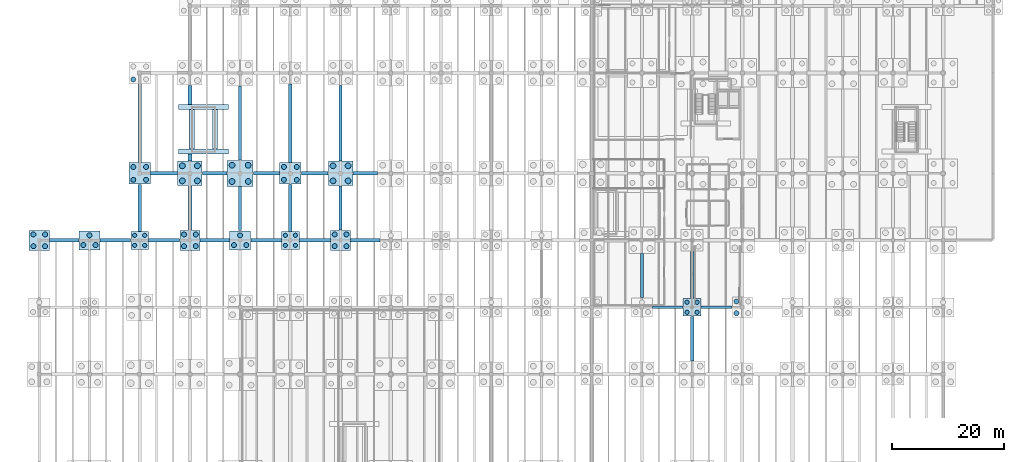
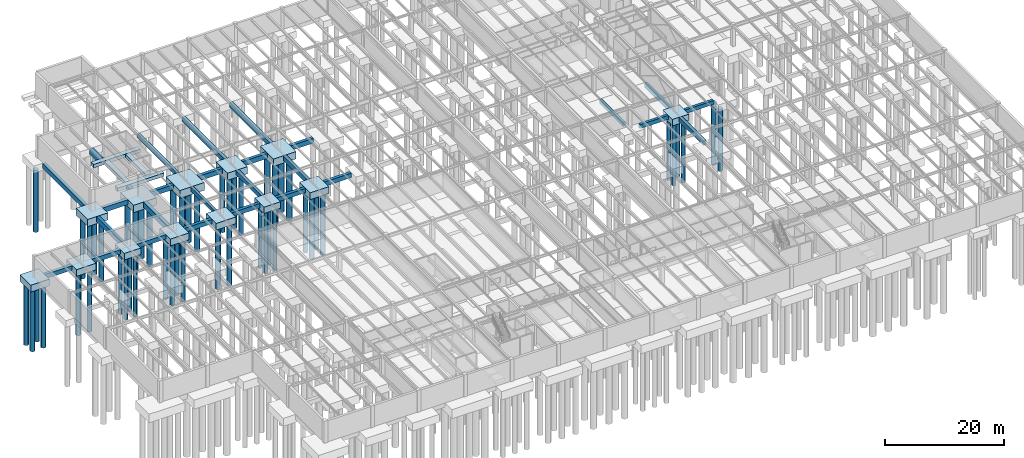
# One storey, part 6 of 40: 53 piles, 45 footings.
"""IFC4 building model written with IfcOpenShell, lengths in metres."""

from ifc_helpers import new_model, si_unit, direction, frame, origin, origin_2d, place, context, subcontext, project, spatial, polyline, rectangle, circle, outline, extrude, material, material_profile, profile_set, type_object, element, save


model = new_model("IFC4")

# Units and contexts
model_context = context("Model", 3, precision=1e-05, world=origin(), true_north=direction((0.0, 1.0)))
body_context = subcontext(model_context, "Body", "Model", "MODEL_VIEW")
ifc_project = project(units=[si_unit("LENGTHUNIT", "METRE"), si_unit("AREAUNIT", "SQUARE_METRE"), si_unit("VOLUMEUNIT", "CUBIC_METRE"), si_unit("PLANEANGLEUNIT", "RADIAN"), si_unit("MASSUNIT", "GRAM", prefix="KILO")], contexts=[model_context])

# Site, building, storey
site_placement = place(None, origin())
site = spatial("IfcSite", under=ifc_project, at=site_placement, CompositionType="ELEMENT")
building_placement = place(site_placement, origin())
building = spatial("IfcBuilding", under=site, at=building_placement, Name="Montelvaro Courts of Justice", CompositionType="ELEMENT")
storey_placement = place(building_placement, frame((0.0, 0.0, -4.5)))
storey = spatial("IfcBuildingStorey", under=building, at=storey_placement, Name="B01", CompositionType="ELEMENT", Elevation=-4.5)

# Piles
ifc_material = material(Name="Concrete C35/45", Category="concrete")
ifc_material_profile_1 = material_profile(ifc_material, circle(Radius=0.52490234375, at=origin_2d()), Name="BORED PILE D1050")
ifc_profile_set_1 = profile_set([ifc_material_profile_1], Name="Concrete C35/45")
pile_type_1 = type_object("IfcPileType", Name="BoredPile_1050", PredefinedType="BORED", material=ifc_profile_set_1)
for number, where, z_axis, x_axis, name in (
    (1, (25.64990234375, 76.64990234375, -1.39990234375), (0.0, 0.0, -1.0), (1.0, 0.0, 0.0), "Bored Pile BP-03 4/G-1"),
    (2, (28.35009765625, 76.64990234375, -1.39990234375), (0.0, 0.0, -1.0), (1.0, 0.0, 0.0), "Bored Pile BP-03 4/G-2"),
    (3, (25.64990234375, 79.35009765625, -1.39990234375), (0.0, 0.0, -1.0), (1.0, 0.0, 0.0), "Bored Pile BP-03 4/G-3"),
    (4, (28.35009765625, 79.35009765625, -1.39990234375), (0.0, 0.0, -1.0), (1.0, 0.0, 0.0), "Bored Pile BP-03 4/G-4"),
):
    element("IfcPile", number, at=place(storey_placement, frame(where, z_axis=z_axis, x_axis=x_axis)), inside=storey, type_object=pile_type_1, Name=name, PredefinedType="BORED", context=body_context, shape_type="SweptSolid", body=[
        extrude(circle(Radius=0.52490234375, at=origin_2d()), origin(), (0.0, 0.0, 1.0), 12.60009765625),
    ])
for number, where, z_axis, x_axis, name in (
    (5, (34.550048828125, 76.550048828125, -1.5), (0.0, 0.0, -1.0), (1.0, 0.0, 0.0), "Bored Pile BP-03 5/G-1"),
    (6, (37.449951171875, 76.550048828125, -1.5), (0.0, 0.0, -1.0), (1.0, 0.0, 0.0), "Bored Pile BP-03 5/G-2"),
    (7, (34.550048828125, 79.449951171875, -1.5), (0.0, 0.0, -1.0), (1.0, 0.0, 0.0), "Bored Pile BP-03 5/G-3"),
    (8, (37.449951171875, 79.449951171875, -1.5), (0.0, 0.0, -1.0), (1.0, 0.0, 0.0), "Bored Pile BP-03 5/G-4"),
):
    element("IfcPile", number, at=place(storey_placement, frame(where, z_axis=z_axis, x_axis=x_axis)), inside=storey, type_object=pile_type_1, Name=name, PredefinedType="BORED", context=body_context, shape_type="SweptSolid", body=[
        extrude(circle(Radius=0.52490234375, at=origin_2d()), origin(), (0.0, 0.0, 1.0), 12.5),
    ])
for number, where, z_axis, x_axis, name in (
    (9, (52.64990234375, 76.64990234375, -1.39990234375), (0.0, 0.0, -1.0), (1.0, 0.0, 0.0), "Bored Pile BP-03 7/G-1"),
    (10, (55.35009765625, 76.64990234375, -1.39990234375), (0.0, 0.0, -1.0), (1.0, 0.0, 0.0), "Bored Pile BP-03 7/G-2"),
    (11, (52.64990234375, 79.35009765625, -1.39990234375), (0.0, 0.0, -1.0), (1.0, 0.0, 0.0), "Bored Pile BP-03 7/G-3"),
    (12, (55.35009765625, 79.35009765625, -1.39990234375), (0.0, 0.0, -1.0), (1.0, 0.0, 0.0), "Bored Pile BP-03 7/G-4"),
):
    element("IfcPile", number, at=place(storey_placement, frame(where, z_axis=z_axis, x_axis=x_axis)), inside=storey, type_object=pile_type_1, Name=name, PredefinedType="BORED", context=body_context, shape_type="SweptSolid", body=[
        extrude(circle(Radius=0.52490234375, at=origin_2d()), origin(), (0.0, 0.0, 1.0), 12.60009765625),
    ])
ifc_material_profile_2 = material_profile(ifc_material, circle(Radius=0.375, at=origin_2d()), Name="BORED PILE D750")
ifc_profile_set_2 = profile_set([ifc_material_profile_2], Name="Concrete C35/45")
pile_type_2 = type_object("IfcPileType", Name="BoredPile_750", PredefinedType="BORED", material=ifc_profile_set_2)
for number, where, z_axis, x_axis, name in (
    (13, (17.10009765625, 65.10009765625, -1.199951171875), (0.0, 0.0, -1.0), (1.0, 0.0, 0.0), "Bored Pile BP-01 3/F-1"),
    (14, (18.89990234375, 65.10009765625, -1.199951171875), (0.0, 0.0, -1.0), (1.0, 0.0, 0.0), "Bored Pile BP-01 3/F-2"),
    (15, (17.10009765625, 66.89990234375, -1.199951171875), (0.0, 0.0, -1.0), (1.0, 0.0, 0.0), "Bored Pile BP-01 3/F-3"),
    (16, (18.89990234375, 66.89990234375, -1.199951171875), (0.0, 0.0, -1.0), (1.0, 0.0, 0.0), "Bored Pile BP-01 3/F-4"),
    (17, (44.10009765625, 65.10009765625, -1.199951171875), (0.0, 0.0, -1.0), (1.0, 0.0, 0.0), "Bored Pile BP-01 6/F-1"),
    (18, (45.89990234375, 65.10009765625, -1.199951171875), (0.0, 0.0, -1.0), (1.0, 0.0, 0.0), "Bored Pile BP-01 6/F-2"),
    (19, (44.10009765625, 66.89990234375, -1.199951171875), (0.0, 0.0, -1.0), (1.0, 0.0, 0.0), "Bored Pile BP-01 6/F-3"),
    (20, (45.89990234375, 66.89990234375, -1.199951171875), (0.0, 0.0, -1.0), (1.0, 0.0, 0.0), "Bored Pile BP-01 6/F-4"),
    (21, (116.10009765625, 53.10009765625, -1.199951171875), (0.0, 0.0, -1.0), (1.0, 0.0, 0.0), "Bored Pile BP-01 14/E-1"),
    (22, (117.89990234375, 53.10009765625, -1.199951171875), (0.0, 0.0, -1.0), (1.0, 0.0, 0.0), "Bored Pile BP-01 14/E-2"),
    (23, (116.10009765625, 54.89990234375, -1.199951171875), (0.0, 0.0, -1.0), (1.0, 0.0, 0.0), "Bored Pile BP-01 14/E-3"),
    (24, (117.89990234375, 54.89990234375, -1.199951171875), (0.0, 0.0, -1.0), (1.0, 0.0, 0.0), "Bored Pile BP-01 14/E-4"),
):
    element("IfcPile", number, at=place(storey_placement, frame(where, z_axis=z_axis, x_axis=x_axis)), inside=storey, type_object=pile_type_2, Name=name, PredefinedType="BORED", context=body_context, shape_type="SweptSolid", body=[
        extrude(circle(Radius=0.375, at=origin_2d()), origin(), (0.0, 0.0, 1.0), 12.800048828125),
    ])
ifc_material_profile_3 = material_profile(ifc_material, circle(Radius=0.449951171875, at=origin_2d()), Name="BORED PILE D900")
ifc_profile_set_3 = profile_set([ifc_material_profile_3], Name="Concrete C35/45")
pile_type_3 = type_object("IfcPileType", Name="BoredPile_900", PredefinedType="BORED", material=ifc_profile_set_3)
for number, where, z_axis, x_axis, name in (
    (25, (-1.050048828125, 64.949951171875, -1.300048828125), (0.0, 0.0, -1.0), (1.0, 0.0, 0.0), "Bored Pile BP-02 1/F-1"),
    (26, (1.050048828125, 64.949951171875, -1.300048828125), (0.0, 0.0, -1.0), (1.0, 0.0, 0.0), "Bored Pile BP-02 1/F-2"),
    (27, (-1.050048828125, 67.050048828125, -1.300048828125), (0.0, 0.0, -1.0), (1.0, 0.0, 0.0), "Bored Pile BP-02 1/F-3"),
    (28, (1.050048828125, 67.050048828125, -1.300048828125), (0.0, 0.0, -1.0), (1.0, 0.0, 0.0), "Bored Pile BP-02 1/F-4"),
):
    element("IfcPile", number, at=place(storey_placement, frame(where, z_axis=z_axis, x_axis=x_axis)), inside=storey, type_object=pile_type_3, Name=name, PredefinedType="BORED", context=body_context, shape_type="SweptSolid", body=[
        extrude(circle(Radius=0.449951171875, at=origin_2d()), origin(), (0.0, 0.0, 1.0), 12.699951171875),
    ])
for number, where, z_axis, x_axis, name in (
    (29, (7.89990234375, 65.14990234375, -1.25), (0.0, 0.0, -1.0), (1.0, 0.0, 0.0), "Bored Pile BP-02 2/F-1"),
    (30, (10.10009765625, 65.14990234375, -1.25), (0.0, 0.0, -1.0), (1.0, 0.0, 0.0), "Bored Pile BP-02 2/F-2"),
    (31, (9.0, 66.89990234375, -1.25), (0.0, 0.0, -1.0), (1.0, 0.0, 0.0), "Bored Pile BP-02 2/F-3"),
):
    element("IfcPile", number, at=place(storey_placement, frame(where, z_axis=z_axis, x_axis=x_axis)), inside=storey, type_object=pile_type_3, Name=name, PredefinedType="BORED", context=body_context, shape_type="SweptSolid", body=[
        extrude(circle(Radius=0.449951171875, at=origin_2d()), origin(), (0.0, 0.0, 1.0), 12.75),
    ])
for number, where, z_axis, x_axis, name in (
    (32, (16.85009765625, 76.85009765625, -1.35009765625), (0.0, 0.0, -1.0), (1.0, 0.0, 0.0), "Bored Pile BP-02 3/G-1"),
    (33, (19.14990234375, 76.85009765625, -1.35009765625), (0.0, 0.0, -1.0), (1.0, 0.0, 0.0), "Bored Pile BP-02 3/G-2"),
    (34, (16.85009765625, 79.14990234375, -1.35009765625), (0.0, 0.0, -1.0), (1.0, 0.0, 0.0), "Bored Pile BP-02 3/G-3"),
    (35, (19.14990234375, 79.14990234375, -1.35009765625), (0.0, 0.0, -1.0), (1.0, 0.0, 0.0), "Bored Pile BP-02 3/G-4"),
    (36, (16.85009765625, 94.85009765625, -1.35009765625), (0.0, 0.0, -1.0), (1.0, 0.0, 0.0), "Bored Pile BP-02 3/H-1"),
):
    element("IfcPile", number, at=place(storey_placement, frame(where, z_axis=z_axis, x_axis=x_axis)), inside=storey, type_object=pile_type_3, Name=name, PredefinedType="BORED", context=body_context, shape_type="SweptSolid", body=[
        extrude(circle(Radius=0.449951171875, at=origin_2d()), origin(), (0.0, 0.0, 1.0), 12.64990234375),
    ])
for number, where, z_axis, x_axis, name in (
    (37, (25.949951171875, 64.949951171875, -1.300048828125), (0.0, 0.0, -1.0), (1.0, 0.0, 0.0), "Bored Pile BP-02 4/F-1"),
    (38, (28.050048828125, 64.949951171875, -1.300048828125), (0.0, 0.0, -1.0), (1.0, 0.0, 0.0), "Bored Pile BP-02 4/F-2"),
    (39, (25.949951171875, 67.050048828125, -1.300048828125), (0.0, 0.0, -1.0), (1.0, 0.0, 0.0), "Bored Pile BP-02 4/F-3"),
    (40, (28.050048828125, 67.050048828125, -1.300048828125), (0.0, 0.0, -1.0), (1.0, 0.0, 0.0), "Bored Pile BP-02 4/F-4"),
):
    element("IfcPile", number, at=place(storey_placement, frame(where, z_axis=z_axis, x_axis=x_axis)), inside=storey, type_object=pile_type_3, Name=name, PredefinedType="BORED", context=body_context, shape_type="SweptSolid", body=[
        extrude(circle(Radius=0.449951171875, at=origin_2d()), origin(), (0.0, 0.0, 1.0), 12.699951171875),
    ])
for number, where, z_axis, x_axis, name in (
    (41, (34.89990234375, 65.14990234375, -1.25), (0.0, 0.0, -1.0), (1.0, 0.0, 0.0), "Bored Pile BP-02 5/F-1"),
    (42, (37.10009765625, 65.14990234375, -1.25), (0.0, 0.0, -1.0), (1.0, 0.0, 0.0), "Bored Pile BP-02 5/F-2"),
    (43, (36.0, 66.89990234375, -1.25), (0.0, 0.0, -1.0), (1.0, 0.0, 0.0), "Bored Pile BP-02 5/F-3"),
):
    element("IfcPile", number, at=place(storey_placement, frame(where, z_axis=z_axis, x_axis=x_axis)), inside=storey, type_object=pile_type_3, Name=name, PredefinedType="BORED", context=body_context, shape_type="SweptSolid", body=[
        extrude(circle(Radius=0.449951171875, at=origin_2d()), origin(), (0.0, 0.0, 1.0), 12.75),
    ])
for number, where, z_axis, x_axis, name in (
    (44, (43.85009765625, 76.85009765625, -1.35009765625), (0.0, 0.0, -1.0), (1.0, 0.0, 0.0), "Bored Pile BP-02 6/G-1"),
    (45, (46.14990234375, 76.85009765625, -1.35009765625), (0.0, 0.0, -1.0), (1.0, 0.0, 0.0), "Bored Pile BP-02 6/G-2"),
    (46, (43.85009765625, 79.14990234375, -1.35009765625), (0.0, 0.0, -1.0), (1.0, 0.0, 0.0), "Bored Pile BP-02 6/G-3"),
    (47, (46.14990234375, 79.14990234375, -1.35009765625), (0.0, 0.0, -1.0), (1.0, 0.0, 0.0), "Bored Pile BP-02 6/G-4"),
):
    element("IfcPile", number, at=place(storey_placement, frame(where, z_axis=z_axis, x_axis=x_axis)), inside=storey, type_object=pile_type_3, Name=name, PredefinedType="BORED", context=body_context, shape_type="SweptSolid", body=[
        extrude(circle(Radius=0.449951171875, at=origin_2d()), origin(), (0.0, 0.0, 1.0), 12.64990234375),
    ])
for number, where, z_axis, x_axis, name in (
    (48, (52.949951171875, 64.949951171875, -1.300048828125), (0.0, 0.0, -1.0), (1.0, 0.0, 0.0), "Bored Pile BP-02 7/F-1"),
    (49, (55.050048828125, 64.949951171875, -1.300048828125), (0.0, 0.0, -1.0), (1.0, 0.0, 0.0), "Bored Pile BP-02 7/F-2"),
    (50, (52.949951171875, 67.050048828125, -1.300048828125), (0.0, 0.0, -1.0), (1.0, 0.0, 0.0), "Bored Pile BP-02 7/F-3"),
    (51, (55.050048828125, 67.050048828125, -1.300048828125), (0.0, 0.0, -1.0), (1.0, 0.0, 0.0), "Bored Pile BP-02 7/F-4"),
    (52, (124.949951171875, 52.949951171875, -1.300048828125), (0.0, 0.0, -1.0), (1.0, 0.0, 0.0), "Bored Pile BP-02 15/E-1"),
    (53, (124.949951171875, 55.050048828125, -1.300048828125), (0.0, 0.0, -1.0), (1.0, 0.0, 0.0), "Bored Pile BP-02 15/E-3"),
):
    element("IfcPile", number, at=place(storey_placement, frame(where, z_axis=z_axis, x_axis=x_axis)), inside=storey, type_object=pile_type_3, Name=name, PredefinedType="BORED", context=body_context, shape_type="SweptSolid", body=[
        extrude(circle(Radius=0.449951171875, at=origin_2d()), origin(), (0.0, 0.0, 1.0), 12.699951171875),
    ])

# Footings
footing_type_1 = type_object("IfcFootingType", Name="GroundBeam_500x800", PredefinedType="FOOTING_BEAM", material=ifc_material)
footing_1_placement = place(storey_placement, frame((0.0, 0.0, -0.800048828125)))
element("IfcFooting", 54, at=footing_1_placement, inside=storey, type_object=footing_type_1, Name="Foundation Ground Beam GB-01", PredefinedType="FOOTING_BEAM", context=body_context, shape_type="SweptSolid", body=[
    extrude(outline(polyline([(109.919921875, 53.75), (115.3798828125, 53.75), (115.3798828125, 54.25), (109.919921875, 54.25), (109.919921875, 53.75)])), origin(), (0.0, 0.0, 1.0), 0.800048828125),
])
footing_2_placement = place(storey_placement, frame((0.0, 0.0, -0.800048828125)))
element("IfcFooting", 55, at=footing_2_placement, inside=storey, type_object=footing_type_1, Name="Foundation Ground Beam GB-01", PredefinedType="FOOTING_BEAM", context=body_context, shape_type="SweptSolid", body=[
    extrude(outline(polyline([(118.6201171875, 53.75), (124.179931640625, 53.75), (124.179931640625, 54.25), (118.6201171875, 54.25), (118.6201171875, 53.75)])), origin(), (0.0, 0.0, 1.0), 0.800048828125),
])
footing_3_placement = place(storey_placement, frame((0.0, 0.0, -0.800048828125)))
element("IfcFooting", 56, at=footing_3_placement, inside=storey, type_object=footing_type_1, Name="Foundation Ground Beam GB-01", PredefinedType="FOOTING_BEAM", context=body_context, shape_type="SweptSolid", body=[
    extrude(outline(polyline([(35.75, 67.719970703125), (36.25, 67.719970703125), (36.25, 75.6298828125), (35.75, 75.6298828125), (35.75, 67.719970703125)])), origin(), (0.0, 0.0, 1.0), 0.800048828125),
])
footing_4_placement = place(storey_placement, frame((0.0, 0.0, -0.800048828125)))
element("IfcFooting", 57, at=footing_4_placement, inside=storey, type_object=footing_type_1, Name="Foundation Ground Beam GB-01", PredefinedType="FOOTING_BEAM", context=body_context, shape_type="SweptSolid", body=[
    extrude(outline(polyline([(35.75, 80.3701171875), (36.25, 80.3701171875), (36.25, 93.6298828125), (35.75, 93.6298828125), (35.75, 80.3701171875)])), origin(), (0.0, 0.0, 1.0), 0.800048828125),
])
footing_5_placement = place(storey_placement, frame((0.0, 0.0, -0.800048828125)))
element("IfcFooting", 58, at=footing_5_placement, inside=storey, type_object=footing_type_1, Name="Foundation Ground Beam GB-01", PredefinedType="FOOTING_BEAM", context=body_context, shape_type="SweptSolid", body=[
    extrude(outline(polyline([(107.75, 55.719970703125), (108.25, 55.719970703125), (108.25, 63.6298828125), (107.75, 63.6298828125), (107.75, 55.719970703125)])), origin(), (0.0, 0.0, 1.0), 0.800048828125),
])
footing_type_2 = type_object("IfcFootingType", Name="GroundBeam_600x1000", PredefinedType="FOOTING_BEAM", material=ifc_material)
footing_6_placement = place(storey_placement, frame((0.0, 0.0, -1.0)))
element("IfcFooting", 59, at=footing_6_placement, inside=storey, type_object=footing_type_2, Name="Foundation Ground Beam GB-03", PredefinedType="FOOTING_BEAM", context=body_context, shape_type="SweptSolid", body=[
    extrude(outline(polyline([(19.969970703125, 77.699951171875), (24.780029296875, 77.699951171875), (24.780029296875, 78.300048828125), (19.969970703125, 78.300048828125), (19.969970703125, 77.699951171875)])), origin(), (0.0, 0.0, 1.0), 1.0),
])
footing_7_placement = place(storey_placement, frame((0.0, 0.0, -1.0)))
element("IfcFooting", 60, at=footing_7_placement, inside=storey, type_object=footing_type_2, Name="Foundation Ground Beam GB-03", PredefinedType="FOOTING_BEAM", context=body_context, shape_type="SweptSolid", body=[
    extrude(outline(polyline([(29.219970703125, 77.699951171875), (33.6298828125, 77.699951171875), (33.6298828125, 78.300048828125), (29.219970703125, 78.300048828125), (29.219970703125, 77.699951171875)])), origin(), (0.0, 0.0, 1.0), 1.0),
])
footing_8_placement = place(storey_placement, frame((0.0, 0.0, -1.0)))
element("IfcFooting", 61, at=footing_8_placement, inside=storey, type_object=footing_type_2, Name="Foundation Ground Beam GB-03", PredefinedType="FOOTING_BEAM", context=body_context, shape_type="SweptSolid", body=[
    extrude(outline(polyline([(38.3701171875, 77.699951171875), (43.030029296875, 77.699951171875), (43.030029296875, 78.300048828125), (38.3701171875, 78.300048828125), (38.3701171875, 77.699951171875)])), origin(), (0.0, 0.0, 1.0), 1.0),
])
footing_9_placement = place(storey_placement, frame((0.0, 0.0, -1.0)))
element("IfcFooting", 62, at=footing_9_placement, inside=storey, type_object=footing_type_2, Name="Foundation Ground Beam GB-03", PredefinedType="FOOTING_BEAM", context=body_context, shape_type="SweptSolid", body=[
    extrude(outline(polyline([(46.969970703125, 77.699951171875), (51.780029296875, 77.699951171875), (51.780029296875, 78.300048828125), (46.969970703125, 78.300048828125), (46.969970703125, 77.699951171875)])), origin(), (0.0, 0.0, 1.0), 1.0),
])
footing_10_placement = place(storey_placement, frame((0.0, 0.0, -1.0)))
element("IfcFooting", 63, at=footing_10_placement, inside=storey, type_object=footing_type_2, Name="Foundation Ground Beam GB-03", PredefinedType="FOOTING_BEAM", context=body_context, shape_type="SweptSolid", body=[
    extrude(outline(polyline([(56.219970703125, 77.699951171875), (60.6298828125, 77.699951171875), (60.6298828125, 78.300048828125), (56.219970703125, 78.300048828125), (56.219970703125, 77.699951171875)])), origin(), (0.0, 0.0, 1.0), 1.0),
])
footing_11_placement = place(storey_placement, frame((0.0, 0.0, -1.0)))
element("IfcFooting", 64, at=footing_11_placement, inside=storey, type_object=footing_type_2, Name="Foundation Ground Beam GB-03", PredefinedType="FOOTING_BEAM", context=body_context, shape_type="SweptSolid", body=[
    extrude(outline(polyline([(17.699951171875, 67.6201171875), (18.300048828125, 67.6201171875), (18.300048828125, 76.030029296875), (17.699951171875, 76.030029296875), (17.699951171875, 67.6201171875)])), origin(), (0.0, 0.0, 1.0), 1.0),
])
footing_12_placement = place(storey_placement, frame((0.0, 0.0, -1.0)))
element("IfcFooting", 65, at=footing_12_placement, inside=storey, type_object=footing_type_2, Name="Foundation Ground Beam GB-03", PredefinedType="FOOTING_BEAM", context=body_context, shape_type="SweptSolid", body=[
    extrude(outline(polyline([(17.699951171875, 79.969970703125), (18.300048828125, 79.969970703125), (18.300048828125, 94.030029296875), (17.699951171875, 94.030029296875), (17.699951171875, 79.969970703125)])), origin(), (0.0, 0.0, 1.0), 1.0),
])
footing_13_placement = place(storey_placement, frame((0.0, 0.0, -1.0)))
element("IfcFooting", 66, at=footing_13_placement, inside=storey, type_object=footing_type_2, Name="Foundation Ground Beam GB-03", PredefinedType="FOOTING_BEAM", context=body_context, shape_type="SweptSolid", body=[
    extrude(outline(polyline([(53.699951171875, 67.820068359375), (54.300048828125, 67.820068359375), (54.300048828125, 75.780029296875), (53.699951171875, 75.780029296875), (53.699951171875, 67.820068359375)])), origin(), (0.0, 0.0, 1.0), 1.0),
])
footing_14_placement = place(storey_placement, frame((0.0, 0.0, -1.0)))
element("IfcFooting", 67, at=footing_14_placement, inside=storey, type_object=footing_type_2, Name="Foundation Ground Beam GB-03", PredefinedType="FOOTING_BEAM", context=body_context, shape_type="SweptSolid", body=[
    extrude(outline(polyline([(53.699951171875, 80.219970703125), (54.300048828125, 80.219970703125), (54.300048828125, 93.780029296875), (53.699951171875, 93.780029296875), (53.699951171875, 80.219970703125)])), origin(), (0.0, 0.0, 1.0), 1.0),
])
footing_type_3 = type_object("IfcFootingType", Name="GroundBeam_600x900", PredefinedType="FOOTING_BEAM", material=ifc_material)
footing_15_placement = place(storey_placement, frame((0.0, 0.0, -0.89990234375)))
element("IfcFooting", 68, at=footing_15_placement, inside=storey, type_object=footing_type_3, Name="Foundation Ground Beam GB-02", PredefinedType="FOOTING_BEAM", context=body_context, shape_type="SweptSolid", body=[
    extrude(outline(polyline([(1.820068359375, 65.699951171875), (7.080078125, 65.699951171875), (7.080078125, 66.300048828125), (1.820068359375, 66.300048828125), (1.820068359375, 65.699951171875)])), origin(), (0.0, 0.0, 1.0), 0.89990234375),
])
footing_16_placement = place(storey_placement, frame((0.0, 0.0, -0.89990234375)))
element("IfcFooting", 69, at=footing_16_placement, inside=storey, type_object=footing_type_3, Name="Foundation Ground Beam GB-02", PredefinedType="FOOTING_BEAM", context=body_context, shape_type="SweptSolid", body=[
    extrude(outline(polyline([(10.919921875, 65.699951171875), (16.3798828125, 65.699951171875), (16.3798828125, 66.300048828125), (10.919921875, 66.300048828125), (10.919921875, 65.699951171875)])), origin(), (0.0, 0.0, 1.0), 0.89990234375),
])
footing_17_placement = place(storey_placement, frame((0.0, 0.0, -0.89990234375)))
element("IfcFooting", 70, at=footing_17_placement, inside=storey, type_object=footing_type_3, Name="Foundation Ground Beam GB-02", PredefinedType="FOOTING_BEAM", context=body_context, shape_type="SweptSolid", body=[
    extrude(outline(polyline([(19.6201171875, 65.699951171875), (25.179931640625, 65.699951171875), (25.179931640625, 66.300048828125), (19.6201171875, 66.300048828125), (19.6201171875, 65.699951171875)])), origin(), (0.0, 0.0, 1.0), 0.89990234375),
])
footing_18_placement = place(storey_placement, frame((0.0, 0.0, -0.89990234375)))
element("IfcFooting", 71, at=footing_18_placement, inside=storey, type_object=footing_type_3, Name="Foundation Ground Beam GB-02", PredefinedType="FOOTING_BEAM", context=body_context, shape_type="SweptSolid", body=[
    extrude(outline(polyline([(28.820068359375, 65.699951171875), (34.080078125, 65.699951171875), (34.080078125, 66.300048828125), (28.820068359375, 66.300048828125), (28.820068359375, 65.699951171875)])), origin(), (0.0, 0.0, 1.0), 0.89990234375),
])
footing_19_placement = place(storey_placement, frame((0.0, 0.0, -0.89990234375)))
element("IfcFooting", 72, at=footing_19_placement, inside=storey, type_object=footing_type_3, Name="Foundation Ground Beam GB-02", PredefinedType="FOOTING_BEAM", context=body_context, shape_type="SweptSolid", body=[
    extrude(outline(polyline([(37.919921875, 65.699951171875), (43.3798828125, 65.699951171875), (43.3798828125, 66.300048828125), (37.919921875, 66.300048828125), (37.919921875, 65.699951171875)])), origin(), (0.0, 0.0, 1.0), 0.89990234375),
])
footing_20_placement = place(storey_placement, frame((0.0, 0.0, -0.89990234375)))
element("IfcFooting", 73, at=footing_20_placement, inside=storey, type_object=footing_type_3, Name="Foundation Ground Beam GB-02", PredefinedType="FOOTING_BEAM", context=body_context, shape_type="SweptSolid", body=[
    extrude(outline(polyline([(46.6201171875, 65.699951171875), (52.179931640625, 65.699951171875), (52.179931640625, 66.300048828125), (46.6201171875, 66.300048828125), (46.6201171875, 65.699951171875)])), origin(), (0.0, 0.0, 1.0), 0.89990234375),
])
footing_21_placement = place(storey_placement, frame((0.0, 0.0, -0.89990234375)))
element("IfcFooting", 74, at=footing_21_placement, inside=storey, type_object=footing_type_3, Name="Foundation Ground Beam GB-02", PredefinedType="FOOTING_BEAM", context=body_context, shape_type="SweptSolid", body=[
    extrude(outline(polyline([(55.820068359375, 65.699951171875), (61.080078125, 65.699951171875), (61.080078125, 66.300048828125), (55.820068359375, 66.300048828125), (55.820068359375, 65.699951171875)])), origin(), (0.0, 0.0, 1.0), 0.89990234375),
])
footing_22_placement = place(storey_placement, frame((0.0, 0.0, -0.89990234375)))
element("IfcFooting", 75, at=footing_22_placement, inside=storey, type_object=footing_type_3, Name="Foundation Ground Beam GB-02", PredefinedType="FOOTING_BEAM", context=body_context, shape_type="SweptSolid", body=[
    extrude(outline(polyline([(44.699951171875, 67.6201171875), (45.300048828125, 67.6201171875), (45.300048828125, 76.030029296875), (44.699951171875, 76.030029296875), (44.699951171875, 67.6201171875)])), origin(), (0.0, 0.0, 1.0), 0.89990234375),
])
footing_23_placement = place(storey_placement, frame((0.0, 0.0, -0.89990234375)))
element("IfcFooting", 76, at=footing_23_placement, inside=storey, type_object=footing_type_3, Name="Foundation Ground Beam GB-02", PredefinedType="FOOTING_BEAM", context=body_context, shape_type="SweptSolid", body=[
    extrude(outline(polyline([(44.699951171875, 79.969970703125), (45.300048828125, 79.969970703125), (45.300048828125, 94.030029296875), (44.699951171875, 94.030029296875), (44.699951171875, 79.969970703125)])), origin(), (0.0, 0.0, 1.0), 0.89990234375),
])
footing_24_placement = place(storey_placement, frame((0.0, 0.0, -0.89990234375)))
element("IfcFooting", 77, at=footing_24_placement, inside=storey, type_object=footing_type_3, Name="Foundation Ground Beam GB-02", PredefinedType="FOOTING_BEAM", context=body_context, shape_type="SweptSolid", body=[
    extrude(outline(polyline([(116.699951171875, 44.3701171875), (117.300048828125, 44.3701171875), (117.300048828125, 52.3798828125), (116.699951171875, 52.3798828125), (116.699951171875, 44.3701171875)])), origin(), (0.0, 0.0, 1.0), 0.89990234375),
])
footing_25_placement = place(storey_placement, frame((0.0, 0.0, -0.89990234375)))
element("IfcFooting", 78, at=footing_25_placement, inside=storey, type_object=footing_type_3, Name="Foundation Ground Beam GB-02", PredefinedType="FOOTING_BEAM", context=body_context, shape_type="SweptSolid", body=[
    extrude(outline(polyline([(116.699951171875, 55.6201171875), (117.300048828125, 55.6201171875), (117.300048828125, 64.030029296875), (116.699951171875, 64.030029296875), (116.699951171875, 55.6201171875)])), origin(), (0.0, 0.0, 1.0), 0.89990234375),
])
footing_type_4 = type_object("IfcFootingType", Name="GroundBeam_700x1100", PredefinedType="FOOTING_BEAM", material=ifc_material)
footing_26_placement = place(storey_placement, frame((0.0, 0.0, -1.10009765625)))
element("IfcFooting", 79, at=footing_26_placement, inside=storey, type_object=footing_type_4, Name="Foundation Ground Beam GB-04", PredefinedType="FOOTING_BEAM", context=body_context, shape_type="SweptSolid", body=[
    extrude(outline(polyline([(26.64990234375, 67.820068359375), (27.35009765625, 67.820068359375), (27.35009765625, 75.780029296875), (26.64990234375, 75.780029296875), (26.64990234375, 67.820068359375)])), origin(), (0.0, 0.0, 1.0), 1.10009765625),
])
footing_27_placement = place(storey_placement, frame((0.0, 0.0, -1.10009765625)))
element("IfcFooting", 80, at=footing_27_placement, inside=storey, type_object=footing_type_4, Name="Foundation Ground Beam GB-04", PredefinedType="FOOTING_BEAM", context=body_context, shape_type="SweptSolid", body=[
    extrude(outline(polyline([(26.64990234375, 80.219970703125), (27.35009765625, 80.219970703125), (27.35009765625, 81.429931640625), (26.64990234375, 81.429931640625), (26.64990234375, 80.219970703125)])), origin(), (0.0, 0.0, 1.0), 1.10009765625),
])
footing_28_placement = place(storey_placement, frame((0.0, 0.0, -1.10009765625)))
element("IfcFooting", 81, at=footing_28_placement, inside=storey, type_object=footing_type_4, Name="Foundation Ground Beam GB-04", PredefinedType="FOOTING_BEAM", context=body_context, shape_type="SweptSolid", body=[
    extrude(outline(polyline([(26.64990234375, 90.3701171875), (27.35009765625, 90.3701171875), (27.35009765625, 93.780029296875), (26.64990234375, 93.780029296875), (26.64990234375, 90.3701171875)])), origin(), (0.0, 0.0, 1.0), 1.10009765625),
])
footing_type_5 = type_object("IfcFootingType", Name="PileCap_3P_380x340x135", PredefinedType="PILE_CAP", material=ifc_material)
for number, where, z_axis, x_axis, name in (
    (82, (9.0, 66.0, -1.35009765625), (0.0, 0.0, 1.0), (1.0, 0.0, 0.0), "Pile Cap PC-07 at 2/F"),
    (83, (36.0, 66.0, -1.35009765625), (0.0, 0.0, 1.0), (1.0, 0.0, 0.0), "Pile Cap PC-07 at 5/F"),
):
    element("IfcFooting", number, at=place(storey_placement, frame(where, z_axis=z_axis, x_axis=x_axis)), inside=storey, type_object=footing_type_5, Name=name, PredefinedType="PILE_CAP", context=body_context, shape_type="SweptSolid", body=[
        extrude(rectangle(XDim=3.800048828125, YDim=3.39990234375, at=origin_2d()), origin(), (0.0, 0.0, 1.0), 1.35009765625),
    ])
footing_type_6 = type_object("IfcFootingType", Name="PileCap_4P_320x320x130", PredefinedType="PILE_CAP", material=ifc_material)
for number, where, z_axis, x_axis, name in (
    (84, (18.0, 66.0, -1.2998046875), (0.0, 0.0, 1.0), (1.0, 0.0, 0.0), "Pile Cap PC-08 at 3/F"),
    (85, (45.0, 66.0, -1.2998046875), (0.0, 0.0, 1.0), (1.0, 0.0, 0.0), "Pile Cap PC-08 at 6/F"),
    (86, (117.0, 54.0, -1.2998046875), (0.0, 0.0, 1.0), (1.0, 0.0, 0.0), "Pile Cap PC-08 at 14/E"),
):
    element("IfcFooting", number, at=place(storey_placement, frame(where, z_axis=z_axis, x_axis=x_axis)), inside=storey, type_object=footing_type_6, Name=name, PredefinedType="PILE_CAP", context=body_context, shape_type="SweptSolid", body=[
        extrude(rectangle(XDim=3.199951171875, YDim=3.199951171875, at=origin_2d()), origin(), (0.0, 0.0, 1.0), 1.300048828125),
    ])
footing_type_7 = type_object("IfcFootingType", Name="PileCap_4P_360x360x140", PredefinedType="PILE_CAP", material=ifc_material)
for number, where, z_axis, x_axis, name in (
    (87, (0.0, 66.0, -1.39990234375), (0.0, 0.0, 1.0), (1.0, 0.0, 0.0), "Pile Cap PC-09 at 1/F"),
    (88, (27.0, 66.0, -1.39990234375), (0.0, 0.0, 1.0), (1.0, 0.0, 0.0), "Pile Cap PC-09 at 4/F"),
    (89, (54.0, 66.0, -1.39990234375), (0.0, 0.0, 1.0), (1.0, 0.0, 0.0), "Pile Cap PC-09 at 7/F"),
):
    element("IfcFooting", number, at=place(storey_placement, frame(where, z_axis=z_axis, x_axis=x_axis)), inside=storey, type_object=footing_type_7, Name=name, PredefinedType="PILE_CAP", context=body_context, shape_type="SweptSolid", body=[
        extrude(rectangle(XDim=3.60009765625, YDim=3.60009765625, at=origin_2d()), origin(), (0.0, 0.0, 1.0), 1.39990234375),
    ])
footing_type_8 = type_object("IfcFootingType", Name="PileCap_4P_390x390x145", PredefinedType="PILE_CAP", material=ifc_material)
for number, where, z_axis, x_axis, name in (
    (90, (18.0, 78.0, -1.4501953125), (0.0, 0.0, 1.0), (1.0, 0.0, 0.0), "Pile Cap PC-10 at 3/G"),
    (91, (45.0, 78.0, -1.4501953125), (0.0, 0.0, 1.0), (1.0, 0.0, 0.0), "Pile Cap PC-10 at 6/G"),
):
    element("IfcFooting", number, at=place(storey_placement, frame(where, z_axis=z_axis, x_axis=x_axis)), inside=storey, type_object=footing_type_8, Name=name, PredefinedType="PILE_CAP", context=body_context, shape_type="SweptSolid", body=[
        extrude(rectangle(XDim=3.89990234375, YDim=3.89990234375, at=origin_2d()), origin(), (0.0, 0.0, 1.0), 1.449951171875),
    ])
footing_type_9 = type_object("IfcFootingType", Name="PileCap_4P_440x440x150", PredefinedType="PILE_CAP", material=ifc_material)
for number, where, z_axis, x_axis, name in (
    (92, (27.0, 78.0, -1.5), (0.0, 0.0, 1.0), (1.0, 0.0, 0.0), "Pile Cap PC-11 at 4/G"),
    (93, (54.0, 78.0, -1.5), (0.0, 0.0, 1.0), (1.0, 0.0, 0.0), "Pile Cap PC-11 at 7/G"),
):
    element("IfcFooting", number, at=place(storey_placement, frame(where, z_axis=z_axis, x_axis=x_axis)), inside=storey, type_object=footing_type_9, Name=name, PredefinedType="PILE_CAP", context=body_context, shape_type="SweptSolid", body=[
        extrude(rectangle(XDim=4.39990234375, YDim=4.39990234375, at=origin_2d()), origin(), (0.0, 0.0, 1.0), 1.5),
    ])
footing_type_10 = type_object("IfcFootingType", Name="PileCap_4P_470x470x160", PredefinedType="PILE_CAP", material=ifc_material)
footing_29_placement = place(storey_placement, frame((36.0, 78.0, -1.60009765625), z_axis=(0.0, 0.0, 1.0), x_axis=(1.0, 0.0, 0.0)))
element("IfcFooting", 94, at=footing_29_placement, inside=storey, type_object=footing_type_10, Name="Pile Cap PC-12 at 5/G", PredefinedType="PILE_CAP", context=body_context, shape_type="SweptSolid", body=[
    extrude(rectangle(XDim=4.699951171875, YDim=4.699951171875, at=origin_2d()), origin(), (0.0, 0.0, 1.0), 1.60009765625),
])
footing_type_11 = type_object("IfcFootingType", Name="StripFooting_900x700", PredefinedType="STRIP_FOOTING", material=ifc_material)
footing_30_placement = place(storey_placement, frame((0.0, 0.0, -0.699951171875)))
element("IfcFooting", 95, at=footing_30_placement, inside=storey, type_object=footing_type_11, Name="Stair and Plinth Strip Footing SFG-01-25", PredefinedType="STRIP_FOOTING", context=body_context, shape_type="SweptSolid", body=[
    extrude(outline(polyline([(24.949951171875, 81.449951171875), (33.949951171875, 81.449951171875), (33.949951171875, 82.35009765625), (24.949951171875, 82.35009765625), (24.949951171875, 81.449951171875)])), origin(), (0.0, 0.0, 1.0), 0.699951171875),
])
footing_31_placement = place(storey_placement, frame((0.0, 0.0, -0.699951171875)))
element("IfcFooting", 96, at=footing_31_placement, inside=storey, type_object=footing_type_11, Name="Stair and Plinth Strip Footing SFG-01-26", PredefinedType="STRIP_FOOTING", context=body_context, shape_type="SweptSolid", body=[
    extrude(outline(polyline([(24.949951171875, 89.449951171875), (33.949951171875, 89.449951171875), (33.949951171875, 90.35009765625), (24.949951171875, 90.35009765625), (24.949951171875, 89.449951171875)])), origin(), (0.0, 0.0, 1.0), 0.699951171875),
])
footing_32_placement = place(storey_placement, frame((0.0, 0.0, -0.699951171875)))
element("IfcFooting", 97, at=footing_32_placement, inside=storey, type_object=footing_type_11, Name="Stair and Plinth Strip Footing SFG-01-27", PredefinedType="STRIP_FOOTING", context=body_context, shape_type="SweptSolid", body=[
    extrude(outline(polyline([(26.949951171875, 82.3701171875), (27.85009765625, 82.3701171875), (27.85009765625, 89.429931640625), (26.949951171875, 89.429931640625), (26.949951171875, 82.3701171875)])), origin(), (0.0, 0.0, 1.0), 0.699951171875),
])
footing_33_placement = place(storey_placement, frame((0.0, 0.0, -0.699951171875)))
element("IfcFooting", 98, at=footing_33_placement, inside=storey, type_object=footing_type_11, Name="Stair and Plinth Strip Footing SFG-01-28", PredefinedType="STRIP_FOOTING", context=body_context, shape_type="SweptSolid", body=[
    extrude(outline(polyline([(31.050048828125, 82.3701171875), (31.949951171875, 82.3701171875), (31.949951171875, 89.429931640625), (31.050048828125, 89.429931640625), (31.050048828125, 82.3701171875)])), origin(), (0.0, 0.0, 1.0), 0.699951171875),
])

save(model, "model.ifc")
